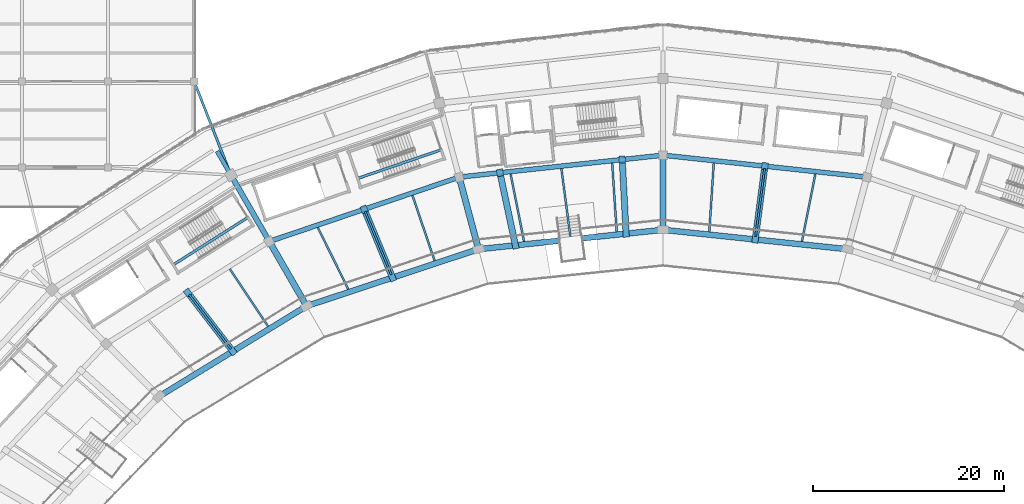
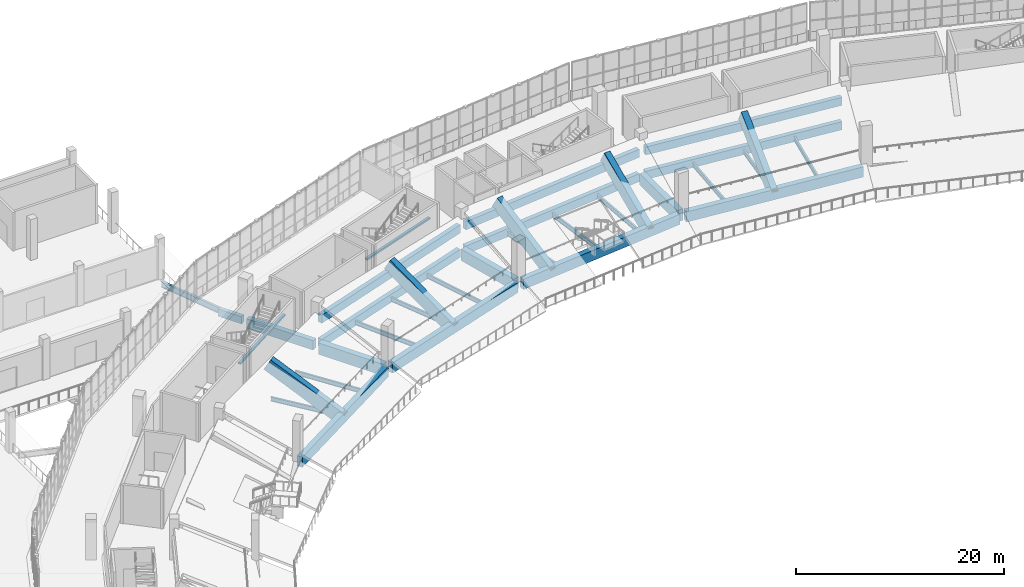
# One storey, part 55 of 152: 34 beams.
"""IFC4 building model written with IfcOpenShell, lengths in metres."""

from ifc_helpers import new_model, si_unit, direction, frame, origin, origin_2d, place, context, subcontext, project, spatial, rectangle, i_section, extrude, material, material_profile, profile_set, type_object, element, save


model = new_model("IFC4")

# Units and contexts
model_context = context("Model", 3, precision=1e-05, world=origin(), true_north=direction((0.0, 1.0)))
body_context = subcontext(model_context, "Body", "Model", "MODEL_VIEW")
ifc_project = project(units=[si_unit("LENGTHUNIT", "METRE"), si_unit("AREAUNIT", "SQUARE_METRE"), si_unit("VOLUMEUNIT", "CUBIC_METRE"), si_unit("PLANEANGLEUNIT", "RADIAN"), si_unit("MASSUNIT", "GRAM", prefix="KILO")], contexts=[model_context])

# Site, building, storey
site_placement = place(None, origin())
site = spatial("IfcSite", under=ifc_project, at=site_placement, CompositionType="ELEMENT")
building_placement = place(site_placement, origin())
building = spatial("IfcBuilding", under=site, at=building_placement, Name="Zevraka Park Crest Stadium", CompositionType="ELEMENT")
storey_placement = place(building_placement, frame((0.0, 0.0, 15.0)))
storey = spatial("IfcBuildingStorey", under=building, at=storey_placement, Name="L03", CompositionType="ELEMENT", Elevation=15.0)

# Beams
ifc_material_1 = material(Name="Concrete C40/50", Category="concrete")
ifc_material_profile_1 = material_profile(ifc_material_1, rectangle(XDim=0.64990234375, YDim=1.35009765625, at=origin_2d()), Name="RC 1350x650")
ifc_profile_set_1 = profile_set([ifc_material_profile_1], Name="Concrete C40/50")
beam_type_1 = type_object("IfcBeamType", Name="BG01", PredefinedType="BEAM", material=ifc_profile_set_1)
beam_1_placement = place(storey_placement, frame((112.0, 151.800048828125, -0.68505859375), z_axis=(0.0, 1.0, 0.0), x_axis=(-1.0, 0.0, 0.0)))
element("IfcBeam", 1, at=beam_1_placement, inside=storey, type_object=beam_type_1, Name="Radial Girder BG01 L03-BC-06", PredefinedType="BEAM", context=body_context, shape_type="SweptSolid", body=[
    extrude(rectangle(XDim=0.64990234375, YDim=1.35009765625, at=origin_2d()), origin(), (0.0, 0.0, 1.0), 7.199951171875),
])
beam_2_placement = place(storey_placement, frame((92.639892578125, 149.762939453125, -0.68505859375), z_axis=(-0.258747385792, 0.965945024495, 0.0), x_axis=(-0.965945024495, -0.258747385792, 0.0)))
element("IfcBeam", 2, at=beam_2_placement, inside=storey, type_object=beam_type_1, Name="Radial Girder BG01 L03-BC-07", PredefinedType="BEAM", context=body_context, shape_type="SweptSolid", body=[
    extrude(rectangle(XDim=0.64990234375, YDim=1.35009765625, at=origin_2d()), origin(), (0.0, 0.0, 1.0), 7.19921875),
])
beam_3_placement = place(storey_placement, frame((74.60009765625, 143.7890625, -0.68505859375), z_axis=(-0.500041424909, 0.866001485781, 0.0), x_axis=(-0.866001485781, -0.500041424909, 0.0)))
element("IfcBeam", 3, at=beam_3_placement, inside=storey, type_object=beam_type_1, Name="Radial Girder BG01 L03-BC-08", PredefinedType="BEAM", context=body_context, shape_type="SweptSolid", body=[
    extrude(rectangle(XDim=0.64990234375, YDim=1.35009765625, at=origin_2d()), origin(), (0.0, 0.0, 1.0), 7.19970703125),
])
ifc_material_2 = material(Name="Concrete C40/50", Category="concrete")
ifc_material_profile_2 = material_profile(ifc_material_2, rectangle(XDim=0.550048828125, YDim=1.10009765625, at=origin_2d()), Name="RC 1100x550")
ifc_profile_set_2 = profile_set([ifc_material_profile_2], Name="Concrete C40/50")
beam_type_2 = type_object("IfcBeamType", Name="BG02", PredefinedType="BEAM", material=ifc_profile_set_2)
beam_4_placement = place(storey_placement, frame((70.699951171875, 150.5439453125, -0.56005859375), z_axis=(-0.500031859608, 0.86600700885, 0.0), x_axis=(-0.86600700885, -0.500031859608, 0.0)))
element("IfcBeam", 4, at=beam_4_placement, inside=storey, type_object=beam_type_2, Name="Radial Girder BG02 L03-CD-08", PredefinedType="BEAM", context=body_context, shape_type="SweptSolid", body=[
    extrude(rectangle(XDim=0.550048828125, YDim=1.10009765625, at=origin_2d()), origin(), (0.0, 0.0, 1.0), 7.3994140625),
])
ifc_material_3 = material(Name="Concrete C40/50", Category="concrete")
ifc_material_profile_3 = material_profile(ifc_material_3, rectangle(XDim=0.449951171875, YDim=0.85009765625, at=origin_2d()), Name="RC 850x450")
ifc_profile_set_3 = profile_set([ifc_material_profile_3], Name="Concrete C40/50")
beam_type_3 = type_object("IfcBeamType", Name="BG03", PredefinedType="BEAM", material=ifc_profile_set_3)
beam_5_placement = place(storey_placement, frame((66.699951171875, 157.471923828125, -0.43505859375), z_axis=(-0.500128937424, 0.865950948929, 0.0), x_axis=(-0.865950948929, -0.500128937424, 0.0)))
element("IfcBeam", 5, at=beam_5_placement, inside=storey, type_object=beam_type_3, Name="Radial Girder BG03 L03-DE-08", PredefinedType="BEAM", context=body_context, shape_type="SweptSolid", body=[
    extrude(rectangle(XDim=0.449951171875, YDim=0.85009765625, at=origin_2d()), origin(), (0.0, 0.0, 1.0), 2.599365234375),
])
ifc_material_4 = material(Name="Steel S355", Category="steel")
ifc_material_profile_4 = material_profile(ifc_material_4, i_section(OverallWidth=0.253662109375, OverallDepth=0.68359375, WebThickness=0.012451171875, FlangeThickness=0.01904296875, at=origin_2d()), Name="UKB 686x254x140")
ifc_profile_set_4 = profile_set([ifc_material_profile_4], Name="Steel S355")
beam_type_4 = type_object("IfcBeamType", Name="BG05", PredefinedType="BEAM", material=ifc_profile_set_4)
beam_6_placement = place(storey_placement, frame((63.072998046875, 166.81396484375, -0.649658203125), z_axis=(0.366068857267, -0.930587766812, 0.0), x_axis=(0.930587766812, 0.366068857267, 0.0)))
element("IfcBeam", 6, at=beam_6_placement, inside=storey, type_object=beam_type_4, Name="Wing Link Girder BG05 L03-8/U", PredefinedType="BEAM", context=body_context, shape_type="SweptSolid", body=[
    extrude(i_section(OverallWidth=0.253662109375, OverallDepth=0.68359375, WebThickness=0.012451171875, FlangeThickness=0.01904296875, at=origin_2d()), origin(), (0.0, 0.0, 1.0), 9.937744140625),
])
ifc_material_5 = material(Name="Concrete C40/50", Category="concrete")
ifc_material_profile_5 = material_profile(ifc_material_5, rectangle(XDim=0.60009765625, YDim=1.199951171875, at=origin_2d()), Name="RC 1200x600")
ifc_profile_set_5 = profile_set([ifc_material_profile_5], Name="Concrete C40/50")
beam_type_5 = type_object("IfcBeamType", Name="RB01", PredefinedType="BEAM", material=ifc_profile_set_5)
for number, where, z_axis, x_axis, name in (
    (7, (130.904052734375, 149.512939453125, -0.610107421875), (-0.994522746434, 0.1045203656, 0.0), (-0.1045203656, -0.994522746434, 0.0), "Ring Beam RB01 L03-B-05"),
    (8, (111.6220703125, 151.4599609375, -0.610107421875), (-0.994522746434, -0.1045203656, 0.0), (0.1045203656, -0.994522746434, 0.0), "Ring Beam RB01 L03-B-06"),
):
    element("IfcBeam", number, at=place(storey_placement, frame(where, z_axis=z_axis, x_axis=x_axis)), inside=storey, type_object=beam_type_5, Name=name, PredefinedType="BEAM", context=body_context, shape_type="SweptSolid", body=[
        extrude(rectangle(XDim=0.60009765625, YDim=1.199951171875, at=origin_2d()), origin(), (0.0, 0.0, 1.0), 18.628173828125),
    ])
beam_7_placement = place(storey_placement, frame((92.35693359375, 149.35400390625, -0.610107421875), z_axis=(-0.949383863235, -0.314118258349, 0.0), x_axis=(0.314118258349, -0.949383863235, 0.0)))
element("IfcBeam", 9, at=beam_7_placement, inside=storey, type_object=beam_type_5, Name="Ring Beam RB01 L03-B-07", PredefinedType="BEAM", context=body_context, shape_type="SweptSolid", body=[
    extrude(rectangle(XDim=0.60009765625, YDim=1.199951171875, at=origin_2d()), origin(), (0.0, 0.0, 1.0), 18.165283203125),
])
beam_8_placement = place(storey_placement, frame((74.426025390625, 143.330078125, -0.610107421875), z_axis=(-0.852632623571, -0.522510869956, 0.0), x_axis=(0.522510869956, -0.852632623571, 0.0)))
element("IfcBeam", 10, at=beam_8_placement, inside=storey, type_object=beam_type_5, Name="Ring Beam RB01 L03-B-08", PredefinedType="BEAM", context=body_context, shape_type="SweptSolid", body=[
    extrude(rectangle(XDim=0.60009765625, YDim=1.199951171875, at=origin_2d()), origin(), (0.0, 0.0, 1.0), 17.335693359375),
])
ifc_material_6 = material(Name="Concrete C40/50", Category="concrete")
ifc_material_profile_6 = material_profile(ifc_material_6, rectangle(XDim=0.5, YDim=0.949951171875, at=origin_2d()), Name="RC 950x500")
ifc_profile_set_6 = profile_set([ifc_material_profile_6], Name="Concrete C40/50")
beam_type_6 = type_object("IfcBeamType", Name="RB02", PredefinedType="BEAM", material=ifc_profile_set_6)
for number, where, z_axis, x_axis, name in (
    (11, (132.923095703125, 157.048095703125, -0.485107421875), (-0.994259477334, 0.106995755668, 0.0), (-0.106995755668, -0.994259477334, 0.0), "Ring Beam RB02 L03-C-05"),
    (12, (111.6220703125, 159.259033203125, -0.485107421875), (-0.994259477334, -0.106995755668, 0.0), (0.106995755668, -0.994259477334, 0.0), "Ring Beam RB02 L03-C-06"),
):
    element("IfcBeam", number, at=place(storey_placement, frame(where, z_axis=z_axis, x_axis=x_axis)), inside=storey, type_object=beam_type_6, Name=name, PredefinedType="BEAM", context=body_context, shape_type="SweptSolid", body=[
        extrude(rectangle(XDim=0.5, YDim=0.949951171875, at=origin_2d()), origin(), (0.0, 0.0, 1.0), 20.663818359375),
    ])
beam_9_placement = place(storey_placement, frame((90.339111328125, 156.885009765625, -0.485107421875), z_axis=(-0.947147952377, -0.320797064058, 0.0), x_axis=(0.320797064058, -0.947147952377, 0.0)))
element("IfcBeam", 13, at=beam_9_placement, inside=storey, type_object=beam_type_6, Name="Ring Beam RB02 L03-C-07", PredefinedType="BEAM", context=body_context, shape_type="SweptSolid", body=[
    extrude(rectangle(XDim=0.5, YDim=0.949951171875, at=origin_2d()), origin(), (0.0, 0.0, 1.0), 20.196533203125),
])
for number, where, z_axis, x_axis, name in (
    (14, (132.923095703125, 157.048095703125, 2.375), (-0.994259477334, 0.106995755668, 0.0), (-0.106995755668, -0.994259477334, 0.0), "Upper Tier Head Raker Ring Beam RB02 05"),
    (15, (111.6220703125, 159.259033203125, 2.375), (-0.994259477334, -0.106995755668, 0.0), (0.106995755668, -0.994259477334, 0.0), "Upper Tier Head Raker Ring Beam RB02 06"),
):
    element("IfcBeam", number, at=place(storey_placement, frame(where, z_axis=z_axis, x_axis=x_axis)), inside=storey, type_object=beam_type_6, Name=name, PredefinedType="BEAM", context=body_context, shape_type="SweptSolid", body=[
        extrude(rectangle(XDim=0.5, YDim=0.949951171875, at=origin_2d()), origin(), (0.0, 0.0, 1.0), 20.663818359375),
    ])
beam_10_placement = place(storey_placement, frame((90.339111328125, 156.885009765625, 2.375), z_axis=(-0.947147952377, -0.320797064058, 0.0), x_axis=(0.320797064058, -0.947147952377, 0.0)))
element("IfcBeam", 16, at=beam_10_placement, inside=storey, type_object=beam_type_6, Name="Upper Tier Head Raker Ring Beam RB02 07", PredefinedType="BEAM", context=body_context, shape_type="SweptSolid", body=[
    extrude(rectangle(XDim=0.5, YDim=0.949951171875, at=origin_2d()), origin(), (0.0, 0.0, 1.0), 20.196533203125),
])
ifc_material_7 = material(Name="Concrete C40/50", Category="concrete")
ifc_material_profile_7 = material_profile(ifc_material_7, rectangle(XDim=0.64990234375, YDim=1.5, at=origin_2d()), Name="RC 1500x650")
ifc_profile_set_7 = profile_set([ifc_material_profile_7], Name="Concrete C40/50")
beam_type_7 = type_object("IfcBeamType", Name="RK02", PredefinedType="BEAM", material=ifc_profile_set_7)
beam_11_placement = place(storey_placement, frame((121.64111328125, 150.486083984375, -0.800048828125), z_axis=(0.113496981582, 0.862708905498, 0.492799938663), x_axis=(-0.991456874002, 0.130434914779, 0.0)))
element("IfcBeam", 17, at=beam_11_placement, inside=storey, type_object=beam_type_7, Name="Upper Bowl Main Raker Girder RK02 05", PredefinedType="BEAM", context=body_context, shape_type="SweptSolid", body=[
    extrude(rectangle(XDim=0.64990234375, YDim=1.5, at=origin_2d()), origin(), (0.0, 0.0, 1.0), 8.88818359375),
])
beam_12_placement = place(storey_placement, frame((108.14404296875, 151.094970703125, -0.800048828125), z_axis=(-0.045358905016, 0.869575431017, 0.491712456123), x_axis=(-0.998642326128, -0.05209130893, 0.0)))
element("IfcBeam", 18, at=beam_12_placement, inside=storey, type_object=beam_type_7, Name="Upper Bowl Main Raker Girder RK02 06-1", PredefinedType="BEAM", context=body_context, shape_type="SweptSolid", body=[
    extrude(rectangle(XDim=0.64990234375, YDim=1.5, at=origin_2d()), origin(), (0.0, 0.0, 1.0), 8.907958984375),
])
beam_13_placement = place(storey_placement, frame((96.573974609375, 149.8779296875, -0.800048828125), z_axis=(-0.181272593878, 0.851720860216, 0.491641966254), x_axis=(-0.978092979624, -0.20816849716, 0.0)))
element("IfcBeam", 19, at=beam_13_placement, inside=storey, type_object=beam_type_7, Name="Upper Bowl Main Raker Girder RK02 06-2", PredefinedType="BEAM", context=body_context, shape_type="SweptSolid", body=[
    extrude(rectangle(XDim=0.64990234375, YDim=1.5, at=origin_2d()), origin(), (0.0, 0.0, 1.0), 8.9091796875),
])
beam_14_placement = place(storey_placement, frame((83.73388671875, 146.5009765625, -0.800048828125), z_axis=(-0.333025449443, 0.803886737331, 0.492808445105), x_axis=(-0.92386138518, -0.38272724096, 0.0)))
element("IfcBeam", 20, at=beam_14_placement, inside=storey, type_object=beam_type_7, Name="Upper Bowl Main Raker Girder RK02 07", PredefinedType="BEAM", context=body_context, shape_type="SweptSolid", body=[
    extrude(rectangle(XDim=0.64990234375, YDim=1.5, at=origin_2d()), origin(), (0.0, 0.0, 1.0), 8.88818359375),
])
beam_15_placement = place(storey_placement, frame((67.035888671875, 138.801025390625, -0.800048828125), z_axis=(-0.529728491658, 0.690289735888, 0.492836489775), x_axis=(-0.7933252828, -0.608797992499, 0.0)))
element("IfcBeam", 21, at=beam_15_placement, inside=storey, type_object=beam_type_7, Name="Upper Bowl Main Raker Girder RK02 08", PredefinedType="BEAM", context=body_context, shape_type="SweptSolid", body=[
    extrude(rectangle(XDim=0.64990234375, YDim=1.5, at=origin_2d()), origin(), (0.0, 0.0, 1.0), 8.8876953125),
])
ifc_material_8 = material(Name="Steel S355", Category="steel")
ifc_material_profile_8 = material_profile(ifc_material_8, i_section(OverallWidth=0.199951171875, OverallDepth=0.5, WebThickness=0.01025390625, FlangeThickness=0.01611328125, at=origin_2d()), Name="IPE 500")
ifc_profile_set_8 = profile_set([ifc_material_profile_8], Name="Steel S355")
beam_type_8 = type_object("IfcBeamType", Name="SJ10", PredefinedType="JOIST", material=ifc_profile_set_8)
beam_16_placement = place(storey_placement, frame((126.52294921875, 150.2890625, -0.55810546875), z_axis=(0.195423881122, 0.980718872403, 0.0), x_axis=(-0.980718872403, 0.195423881122, 0.0)))
element("IfcBeam", 22, at=beam_16_placement, inside=storey, type_object=beam_type_8, Name="Floor Joist SJ10 L03-BC-05-1", PredefinedType="JOIST", context=body_context, shape_type="SweptSolid", body=[
    extrude(i_section(OverallWidth=0.199951171875, OverallDepth=0.5, WebThickness=0.01025390625, FlangeThickness=0.01611328125, at=origin_2d()), origin(), (0.0, 0.0, 1.0), 7.189697265625),
])
beam_17_placement = place(storey_placement, frame((121.681884765625, 150.799072265625, -0.55810546875), z_axis=(0.13062530986, 0.991431807248, 0.0), x_axis=(-0.991431807248, 0.13062530986, 0.0)))
element("IfcBeam", 23, at=beam_17_placement, inside=storey, type_object=beam_type_8, Name="Floor Joist SJ10 L03-BC-05-2", PredefinedType="JOIST", context=body_context, shape_type="SweptSolid", body=[
    extrude(i_section(OverallWidth=0.199951171875, OverallDepth=0.5, WebThickness=0.01025390625, FlangeThickness=0.01611328125, at=origin_2d()), origin(), (0.0, 0.0, 1.0), 7.17333984375),
])
for number, where, z_axis, x_axis, name in (
    (24, (116.841064453125, 151.30810546875, -0.55810546875), (0.06510119131, 0.997878667419, 0.0), (-0.997878667419, 0.06510119131, 0.0), "Floor Joist SJ10 L03-BC-05-3"),
    (25, (107.158935546875, 151.30810546875, -0.55810546875), (-0.06510119131, 0.997878667419, 0.0), (-0.997878667419, -0.06510119131, 0.0), "Floor Joist SJ10 L03-BC-06-1"),
):
    element("IfcBeam", number, at=place(storey_placement, frame(where, z_axis=z_axis, x_axis=x_axis)), inside=storey, type_object=beam_type_8, Name=name, PredefinedType="JOIST", context=body_context, shape_type="SweptSolid", body=[
        extrude(i_section(OverallWidth=0.199951171875, OverallDepth=0.5, WebThickness=0.01025390625, FlangeThickness=0.01611328125, at=origin_2d()), origin(), (0.0, 0.0, 1.0), 7.18896484375),
    ])
beam_18_placement = place(storey_placement, frame((102.318115234375, 150.799072265625, -0.55810546875), z_axis=(-0.13062530986, 0.991431807248, 0.0), x_axis=(-0.991431807248, -0.13062530986, 0.0)))
element("IfcBeam", 26, at=beam_18_placement, inside=storey, type_object=beam_type_8, Name="Floor Joist SJ10 L03-BC-06-2", PredefinedType="JOIST", context=body_context, shape_type="SweptSolid", body=[
    extrude(i_section(OverallWidth=0.199951171875, OverallDepth=0.5, WebThickness=0.01025390625, FlangeThickness=0.01611328125, at=origin_2d()), origin(), (0.0, 0.0, 1.0), 7.17333984375),
])
beam_19_placement = place(storey_placement, frame((97.47705078125, 150.2890625, -0.55810546875), z_axis=(-0.195423881122, 0.980718872403, 0.0), x_axis=(-0.980718872403, -0.195423881122, 0.0)))
element("IfcBeam", 27, at=beam_19_placement, inside=storey, type_object=beam_type_8, Name="Floor Joist SJ10 L03-BC-06-3", PredefinedType="JOIST", context=body_context, shape_type="SweptSolid", body=[
    extrude(i_section(OverallWidth=0.199951171875, OverallDepth=0.5, WebThickness=0.01025390625, FlangeThickness=0.01611328125, at=origin_2d()), origin(), (0.0, 0.0, 1.0), 7.189697265625),
])
beam_20_placement = place(storey_placement, frame((88.125, 148.284912109375, -0.55810546875), z_axis=(-0.321275682742, 0.946985710388, 0.0), x_axis=(-0.946985710388, -0.321275682742, 0.0)))
element("IfcBeam", 28, at=beam_20_placement, inside=storey, type_object=beam_type_8, Name="Floor Joist SJ10 L03-BC-07-1", PredefinedType="JOIST", context=body_context, shape_type="SweptSolid", body=[
    extrude(i_section(OverallWidth=0.199951171875, OverallDepth=0.5, WebThickness=0.01025390625, FlangeThickness=0.01611328125, at=origin_2d()), origin(), (0.0, 0.0, 1.0), 7.190185546875),
])
beam_21_placement = place(storey_placement, frame((83.613037109375, 146.7919921875, -0.55810546875), z_axis=(-0.382700487371, 0.923872467912, 0.0), x_axis=(-0.923872467912, -0.382700487371, 0.0)))
element("IfcBeam", 29, at=beam_21_placement, inside=storey, type_object=beam_type_8, Name="Floor Joist SJ10 L03-BC-07-2", PredefinedType="JOIST", context=body_context, shape_type="SweptSolid", body=[
    extrude(i_section(OverallWidth=0.199951171875, OverallDepth=0.5, WebThickness=0.01025390625, FlangeThickness=0.01611328125, at=origin_2d()), origin(), (0.0, 0.0, 1.0), 7.173095703125),
])
beam_22_placement = place(storey_placement, frame((79.10302734375, 145.297119140625, -0.55810546875), z_axis=(-0.442549118131, 0.896744265686, 0.0), x_axis=(-0.896744265686, -0.442549118131, 0.0)))
element("IfcBeam", 30, at=beam_22_placement, inside=storey, type_object=beam_type_8, Name="Floor Joist SJ10 L03-BC-07-3", PredefinedType="JOIST", context=body_context, shape_type="SweptSolid", body=[
    extrude(i_section(OverallWidth=0.199951171875, OverallDepth=0.5, WebThickness=0.01025390625, FlangeThickness=0.01611328125, at=origin_2d()), origin(), (0.0, 0.0, 1.0), 7.1904296875),
])
beam_23_placement = place(storey_placement, frame((70.718017578125, 141.427001953125, -0.55810546875), z_axis=(-0.555366097338, 0.831605975164, 0.0), x_axis=(-0.831605975164, -0.555366097338, 0.0)))
element("IfcBeam", 31, at=beam_23_placement, inside=storey, type_object=beam_type_8, Name="Floor Joist SJ10 L03-BC-08-1", PredefinedType="JOIST", context=body_context, shape_type="SweptSolid", body=[
    extrude(i_section(OverallWidth=0.199951171875, OverallDepth=0.5, WebThickness=0.01025390625, FlangeThickness=0.01611328125, at=origin_2d()), origin(), (0.0, 0.0, 1.0), 7.189697265625),
])
beam_24_placement = place(storey_placement, frame((66.843994140625, 139.051025390625, -0.55810546875), z_axis=(-0.608774451346, 0.793343347731, 0.0), x_axis=(-0.793343347731, -0.608774451346, 0.0)))
element("IfcBeam", 32, at=beam_24_placement, inside=storey, type_object=beam_type_8, Name="Floor Joist SJ10 L03-BC-08-2", PredefinedType="JOIST", context=body_context, shape_type="SweptSolid", body=[
    extrude(i_section(OverallWidth=0.199951171875, OverallDepth=0.5, WebThickness=0.01025390625, FlangeThickness=0.01611328125, at=origin_2d()), origin(), (0.0, 0.0, 1.0), 7.17333984375),
])
ifc_material_9 = material(Name="Concrete C40/50", Category="concrete")
ifc_material_profile_9 = material_profile(ifc_material_9, rectangle(XDim=0.280029296875, YDim=0.199951171875, at=origin_2d()), Name="RC 200x280")
ifc_profile_set_9 = profile_set([ifc_material_profile_9], Name="Concrete C40/50")
beam_type_9 = type_object("IfcBeamType", Name="SJ13", PredefinedType="JOIST", material=ifc_profile_set_9)
beam_25_placement = place(storey_placement, frame((88.80322265625, 159.855712890625, 2.300048828125), z_axis=(-0.946065027556, -0.323976794902, 0.0), x_axis=(0.323976794902, -0.946065027556, 0.0)))
element("IfcBeam", 33, at=beam_25_placement, inside=storey, type_object=beam_type_9, Name="Stair Upper-Flight Longitudinal Stringer SJ13 ST08-L03", PredefinedType="JOIST", context=body_context, shape_type="SweptSolid", body=[
    extrude(rectangle(XDim=0.280029296875, YDim=0.199951171875, at=origin_2d()), origin(), (0.0, 0.0, 1.0), 9.250244140625),
])
beam_26_placement = place(storey_placement, frame((68.595703125, 152.780517578125, 2.300048828125), z_axis=(-0.844404041367, -0.535706836734, 0.0), x_axis=(0.535706836734, -0.844404041367, 0.0)))
element("IfcBeam", 34, at=beam_26_placement, inside=storey, type_object=beam_type_9, Name="Stair Upper-Flight Longitudinal Stringer SJ13 ST09-L03", PredefinedType="JOIST", context=body_context, shape_type="SweptSolid", body=[
    extrude(rectangle(XDim=0.280029296875, YDim=0.199951171875, at=origin_2d()), origin(), (0.0, 0.0, 1.0), 9.25),
])

save(model, "model.ifc")
